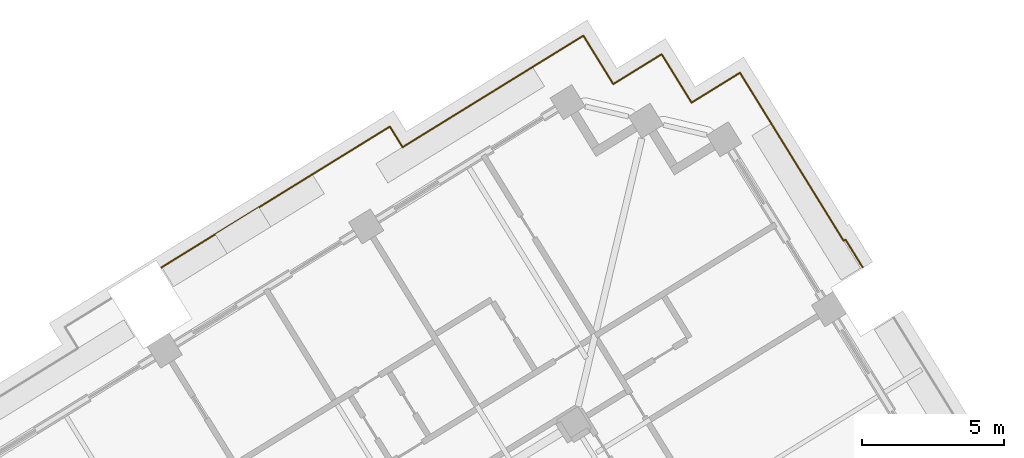
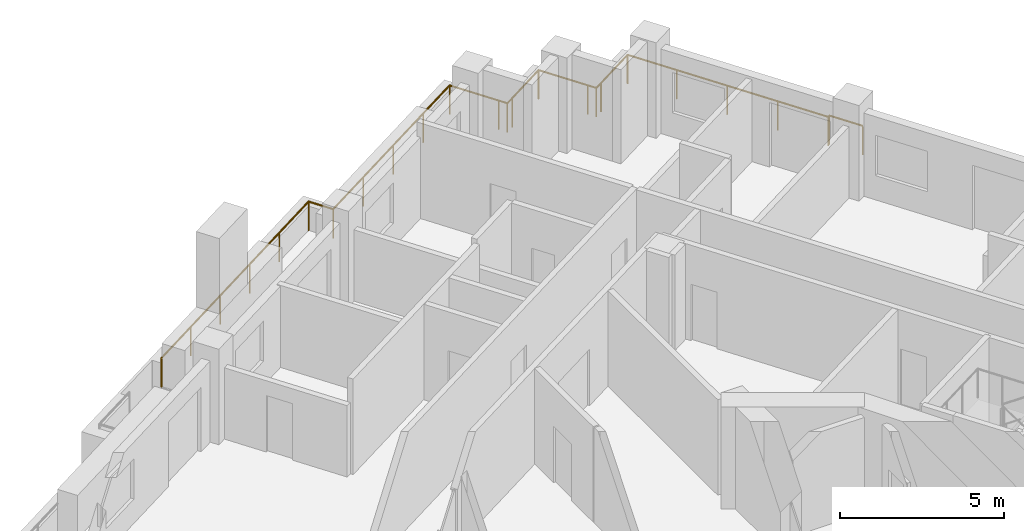
# One storey, part 20 of 21: 2 railings.
"""IFC4 building model written with IfcOpenShell, lengths in metres."""

from ifc_helpers import new_model, si_unit, direction, frame, origin, origin_2d, place, context, subcontext, project, spatial, circle, extrude, material, type_object, element, save


model = new_model("IFC4")

# Units and contexts
model_context = context("Model", 3, precision=1e-05, world=origin(), true_north=direction((0.0, 1.0)))
body_context = subcontext(model_context, "Body", "Model", "MODEL_VIEW")
ifc_project = project(units=[si_unit("LENGTHUNIT", "METRE"), si_unit("AREAUNIT", "SQUARE_METRE"), si_unit("VOLUMEUNIT", "CUBIC_METRE"), si_unit("PLANEANGLEUNIT", "RADIAN"), si_unit("MASSUNIT", "GRAM", prefix="KILO")], contexts=[model_context])

# Site, building, storey
site_placement = place(None, origin())
site = spatial("IfcSite", under=ifc_project, at=site_placement, CompositionType="ELEMENT")
building_placement = place(site_placement, origin())
building = spatial("IfcBuilding", under=site, at=building_placement, Name="Cantera Rosa Tower", CompositionType="ELEMENT")
storey_placement = place(building_placement, frame((0.0, 0.0, 170.39990234375)))
storey = spatial("IfcBuildingStorey", under=building, at=storey_placement, Name="L37", CompositionType="ELEMENT", Elevation=170.39990234375)

# Railings
ifc_material = material(Name="Stainless steel and laminated glass", Category="steel")
railing_type = type_object("IfcRailingType", Name="GUARD 1100", PredefinedType="BALUSTRADE", material=ifc_material)
railing_1_placement = place(storey_placement, frame((12.44873046875, 30.2958984375, 0.0)))
element("IfcRailing", 1, at=railing_1_placement, inside=storey, type_object=railing_type, Name="GUARD L37-13", PredefinedType="BALUSTRADE", context=body_context, shape_type="SweptSolid", body=[
    extrude(circle(Radius=0.030029296875, at=origin_2d()), frame((0.0, 0.0, 1.070068359375), z_axis=(0.524994468487, -0.851105638601, 0.0), x_axis=(0.851105638601, 0.524994468487, 0.0)), (0.0, 0.0, 1.0), 1.7001953125),
    extrude(circle(Radius=0.030029296875, at=origin_2d()), frame((0.892578125, -1.447021484375, 1.070068359375), z_axis=(0.524980961903, -0.85111396983, 0.0), x_axis=(0.85111396983, 0.524980961903, 0.0)), (0.0, 0.0, 1.0), 5.240234375),
    extrude(circle(Radius=0.030029296875, at=origin_2d()), frame((3.6435546875, -5.906982421875, 1.070068359375), z_axis=(0.851763497745, 0.523926468037, 0.0), x_axis=(-0.523926468037, 0.851763497745, 0.0)), (0.0, 0.0, 1.0), 0.07958984375),
    extrude(circle(Radius=0.030029296875, at=origin_2d()), frame((3.71142578125, -5.865234375, 1.070068359375), z_axis=(0.524950242429, -0.851132917336, 0.0), x_axis=(0.851132917336, 0.524950242429, 0.0)), (0.0, 0.0, 1.0), 1.149658203125),
    extrude(circle(Radius=0.02490234375, at=origin_2d()), origin(), (0.0, 0.0, 1.0), 1.0400390625),
    extrude(circle(Radius=0.02490234375, at=origin_2d()), frame((0.892578125, -1.447021484375, 0.0)), (0.0, 0.0, 1.0), 1.0400390625),
    extrude(circle(Radius=0.02490234375, at=origin_2d()), frame((1.8095703125, -2.93359375, 0.0)), (0.0, 0.0, 1.0), 1.0400390625),
    extrude(circle(Radius=0.02490234375, at=origin_2d()), frame((2.7265625, -4.42041015625, 0.0)), (0.0, 0.0, 1.0), 1.0400390625),
    extrude(circle(Radius=0.02490234375, at=origin_2d()), frame((3.6435546875, -5.906982421875, 0.0)), (0.0, 0.0, 1.0), 1.0400390625),
    extrude(circle(Radius=0.02490234375, at=origin_2d()), frame((3.71142578125, -5.865234375, 0.0)), (0.0, 0.0, 1.0), 1.0400390625),
    extrude(circle(Radius=0.02490234375, at=origin_2d()), frame((4.31494140625, -6.84375, 0.0)), (0.0, 0.0, 1.0), 1.0400390625),
])
railing_2_placement = place(storey_placement, frame((-7.895263671875, 23.447998046875, 0.0)))
element("IfcRailing", 2, at=railing_2_placement, inside=storey, type_object=railing_type, Name="GUARD L37-14", PredefinedType="BALUSTRADE", context=body_context, shape_type="SweptSolid", body=[
    extrude(circle(Radius=0.030029296875, at=origin_2d()), frame((0.0, 0.0, 1.070068359375), z_axis=(0.851115414327, 0.524978620035, 0.0), x_axis=(-0.524978620035, 0.851115414327, 0.0)), (0.0, 0.0, 1.0), 9.44189453125),
    extrude(circle(Radius=0.030029296875, at=origin_2d()), frame((8.0361328125, 4.956787109375, 1.070068359375), z_axis=(0.525120578111, -0.851027836469, 0.0), x_axis=(0.851027836469, 0.525120578111, 0.0)), (0.0, 0.0, 1.0), 0.851806640625),
    extrude(circle(Radius=0.030029296875, at=origin_2d()), frame((8.4833984375, 4.23193359375, 1.070068359375), z_axis=(0.851124537433, 0.524963829021, 0.0), x_axis=(-0.524963829021, 0.851124537433, 0.0)), (0.0, 0.0, 1.0), 5.76806640625),
    extrude(circle(Radius=0.030029296875, at=origin_2d()), frame((13.392822265625, 7.260009765625, 1.070068359375), z_axis=(0.851130227454, 0.524954603669, 0.0), x_axis=(-0.524954603669, 0.851130227454, 0.0)), (0.0, 0.0, 1.0), 1.699951171875),
    extrude(circle(Radius=0.030029296875, at=origin_2d()), frame((14.839599609375, 8.15234375, 1.070068359375), z_axis=(0.525058638144, -0.851066052965, 0.0), x_axis=(0.851066052965, 0.525058638144, 0.0)), (0.0, 0.0, 1.0), 1.699951171875),
    extrude(circle(Radius=0.030029296875, at=origin_2d()), frame((15.732177734375, 6.70556640625, 1.070068359375), z_axis=(0.524869051004, -0.85118298814, 0.0), x_axis=(0.85118298814, 0.524869051004, 0.0)), (0.0, 0.0, 1.0), 0.300048828125),
    extrude(circle(Radius=0.030029296875, at=origin_2d()), frame((15.8896484375, 6.4501953125, 1.070068359375), z_axis=(0.85118298814, 0.524869051004, 0.0), x_axis=(-0.524869051004, 0.85118298814, 0.0)), (0.0, 0.0, 1.0), 0.300048828125),
    extrude(circle(Radius=0.030029296875, at=origin_2d()), frame((16.14501953125, 6.607666015625, 1.070068359375), z_axis=(0.851066052965, 0.525058638144, 0.0), x_axis=(-0.525058638144, 0.851066052965, 0.0)), (0.0, 0.0, 1.0), 1.699951171875),
    extrude(circle(Radius=0.030029296875, at=origin_2d()), frame((17.591796875, 7.500244140625, 1.070068359375), z_axis=(0.524994468487, -0.851105638601, 0.0), x_axis=(0.851105638601, 0.524994468487, 0.0)), (0.0, 0.0, 1.0), 1.7001953125),
    extrude(circle(Radius=0.030029296875, at=origin_2d()), frame((18.484375, 6.05322265625, 1.070068359375), z_axis=(0.524869051004, -0.85118298814, 0.0), x_axis=(0.85118298814, 0.524869051004, 0.0)), (0.0, 0.0, 1.0), 0.300048828125),
    extrude(circle(Radius=0.030029296875, at=origin_2d()), frame((18.641845703125, 5.7978515625, 1.070068359375), z_axis=(0.85118298814, 0.524869051004, 0.0), x_axis=(-0.524869051004, 0.85118298814, 0.0)), (0.0, 0.0, 1.0), 0.300048828125),
    extrude(circle(Radius=0.030029296875, at=origin_2d()), frame((18.897216796875, 5.955322265625, 1.070068359375), z_axis=(0.851066052965, 0.525058638144, 0.0), x_axis=(-0.525058638144, 0.851066052965, 0.0)), (0.0, 0.0, 1.0), 1.699951171875),
    extrude(circle(Radius=0.02490234375, at=origin_2d()), origin(), (0.0, 0.0, 1.0), 1.0400390625),
    extrude(circle(Radius=0.02490234375, at=origin_2d()), frame((1.607177734375, 0.991455078125, 0.0)), (0.0, 0.0, 1.0), 1.0400390625),
    extrude(circle(Radius=0.02490234375, at=origin_2d()), frame((3.21435546875, 1.982666015625, 0.0)), (0.0, 0.0, 1.0), 1.0400390625),
    extrude(circle(Radius=0.02490234375, at=origin_2d()), frame((4.82177734375, 2.97412109375, 0.0)), (0.0, 0.0, 1.0), 1.0400390625),
    extrude(circle(Radius=0.02490234375, at=origin_2d()), frame((6.428955078125, 3.96533203125, 0.0)), (0.0, 0.0, 1.0), 1.0400390625),
    extrude(circle(Radius=0.02490234375, at=origin_2d()), frame((8.0361328125, 4.956787109375, 0.0)), (0.0, 0.0, 1.0), 1.0400390625),
    extrude(circle(Radius=0.02490234375, at=origin_2d()), frame((8.4833984375, 4.23193359375, 0.0)), (0.0, 0.0, 1.0), 1.0400390625),
    extrude(circle(Radius=0.02490234375, at=origin_2d()), frame((10.119873046875, 5.2412109375, 0.0)), (0.0, 0.0, 1.0), 1.0400390625),
    extrude(circle(Radius=0.02490234375, at=origin_2d()), frame((11.75634765625, 6.250732421875, 0.0)), (0.0, 0.0, 1.0), 1.0400390625),
    extrude(circle(Radius=0.02490234375, at=origin_2d()), frame((13.392822265625, 7.260009765625, 0.0)), (0.0, 0.0, 1.0), 1.0400390625),
    extrude(circle(Radius=0.02490234375, at=origin_2d()), frame((14.839599609375, 8.15234375, 0.0)), (0.0, 0.0, 1.0), 1.0400390625),
    extrude(circle(Radius=0.02490234375, at=origin_2d()), frame((15.732177734375, 6.70556640625, 0.0)), (0.0, 0.0, 1.0), 1.0400390625),
    extrude(circle(Radius=0.02490234375, at=origin_2d()), frame((15.8896484375, 6.4501953125, 0.0)), (0.0, 0.0, 1.0), 1.0400390625),
    extrude(circle(Radius=0.02490234375, at=origin_2d()), frame((16.14501953125, 6.607666015625, 0.0)), (0.0, 0.0, 1.0), 1.0400390625),
    extrude(circle(Radius=0.02490234375, at=origin_2d()), frame((17.591796875, 7.500244140625, 0.0)), (0.0, 0.0, 1.0), 1.0400390625),
    extrude(circle(Radius=0.02490234375, at=origin_2d()), frame((18.484375, 6.05322265625, 0.0)), (0.0, 0.0, 1.0), 1.0400390625),
    extrude(circle(Radius=0.02490234375, at=origin_2d()), frame((18.641845703125, 5.7978515625, 0.0)), (0.0, 0.0, 1.0), 1.0400390625),
    extrude(circle(Radius=0.02490234375, at=origin_2d()), frame((18.897216796875, 5.955322265625, 0.0)), (0.0, 0.0, 1.0), 1.0400390625),
    extrude(circle(Radius=0.02490234375, at=origin_2d()), frame((20.343994140625, 6.847900390625, 0.0)), (0.0, 0.0, 1.0), 1.0400390625),
])

save(model, "model.ifc")
